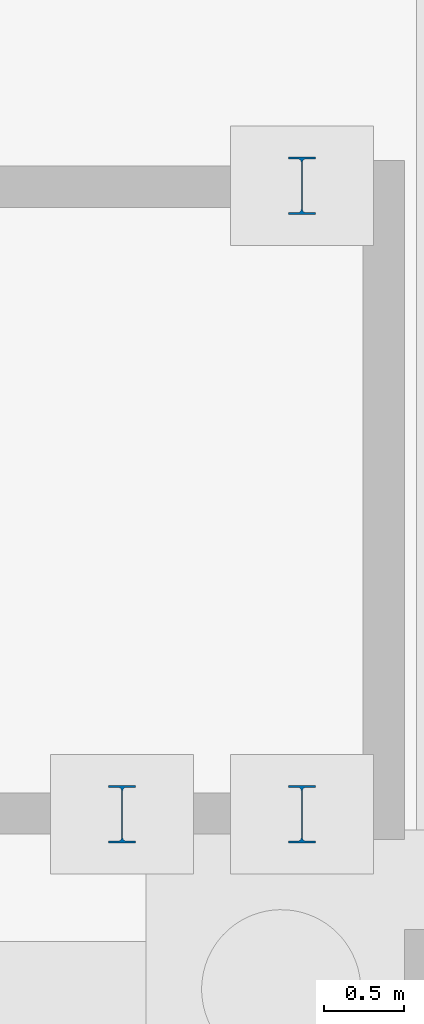
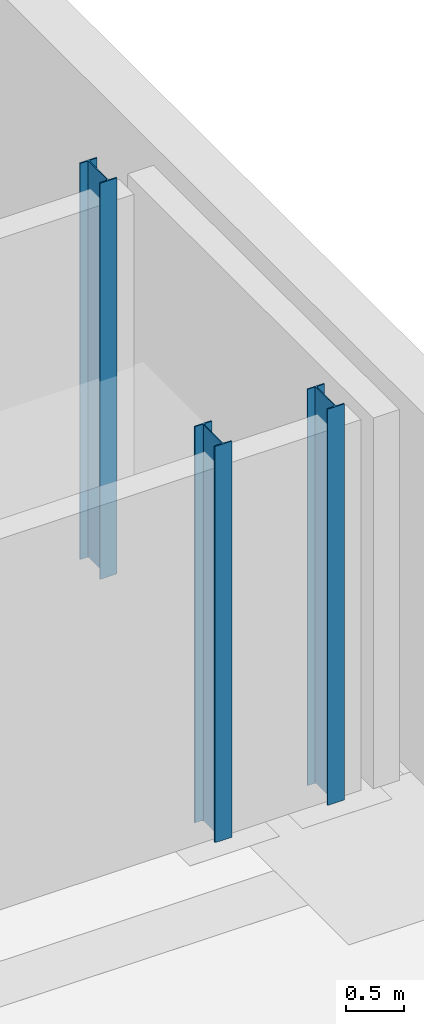
# One storey, part 27 of 54: 3 columns.
"""IFC4 building model written with IfcOpenShell, lengths in metres."""

from ifc_helpers import new_model, si_unit, direction, frame, origin, origin_2d, place, context, subcontext, project, spatial, i_section, extrude, material, material_profile, profile_set, type_object, element, save


model = new_model("IFC4")

# Units and contexts
model_context = context("Model", 3, precision=1e-05, world=origin(), true_north=direction((0.0, 1.0)))
body_context = subcontext(model_context, "Body", "Model", "MODEL_VIEW")
ifc_project = project(units=[si_unit("LENGTHUNIT", "METRE"), si_unit("AREAUNIT", "SQUARE_METRE"), si_unit("VOLUMEUNIT", "CUBIC_METRE"), si_unit("PLANEANGLEUNIT", "RADIAN"), si_unit("MASSUNIT", "GRAM", prefix="KILO")], contexts=[model_context])

# Site, building, storey
site_placement = place(None, origin())
site = spatial("IfcSite", under=ifc_project, at=site_placement, CompositionType="ELEMENT")
building_placement = place(site_placement, origin())
building = spatial("IfcBuilding", under=site, at=building_placement, Name="Zevrakil Square Congress Hotel", CompositionType="ELEMENT")
storey_placement = place(building_placement, frame((0.0, 0.0, -8.39990234375)))
storey = spatial("IfcBuildingStorey", under=building, at=storey_placement, Name="B2", CompositionType="ELEMENT", Elevation=-8.39990234375)

# Columns
ifc_material = material(Name="Steel S355", Category="steel")
ifc_material_profile = material_profile(ifc_material, i_section(OverallWidth=0.169921875, OverallDepth=0.360107421875, WebThickness=0.008056640625, FlangeThickness=0.0126953125, FilletRadius=0.01806640625, at=origin_2d()), Name="IPE 360")
ifc_profile_set = profile_set([ifc_material_profile], Name="Steel S355")
column_type = type_object("IfcColumnType", Name="COL-PILASTER-SHS180", PredefinedType="PILASTER", material=ifc_profile_set)
for number, where, z_axis, x_axis, name in (
    (1, (115.449951171875, 85.10009765625, 0.0), (0.0, 0.0, 1.0), (1.0, 0.0, 0.0), "B2 ST06 stair shaft post 1"),
    (2, (116.580078125, 85.10009765625, 0.0), (0.0, 0.0, 1.0), (1.0, 0.0, 0.0), "B2 ST06 stair shaft post 2"),
    (3, (116.580078125, 89.050048828125, 0.0), (0.0, 0.0, 1.0), (1.0, 0.0, 0.0), "B2 ST06 stair shaft post 3"),
):
    element("IfcColumn", number, at=place(storey_placement, frame(where, z_axis=z_axis, x_axis=x_axis)), inside=storey, type_object=column_type, Name=name, PredefinedType="PILASTER", context=body_context, shape_type="SweptSolid", body=[
        extrude(i_section(OverallWidth=0.169921875, OverallDepth=0.360107421875, WebThickness=0.008056640625, FlangeThickness=0.0126953125, FilletRadius=0.01806640625, at=origin_2d()), origin(), (0.0, 0.0, 1.0), 4.199951171875),
    ])

save(model, "model.ifc")
